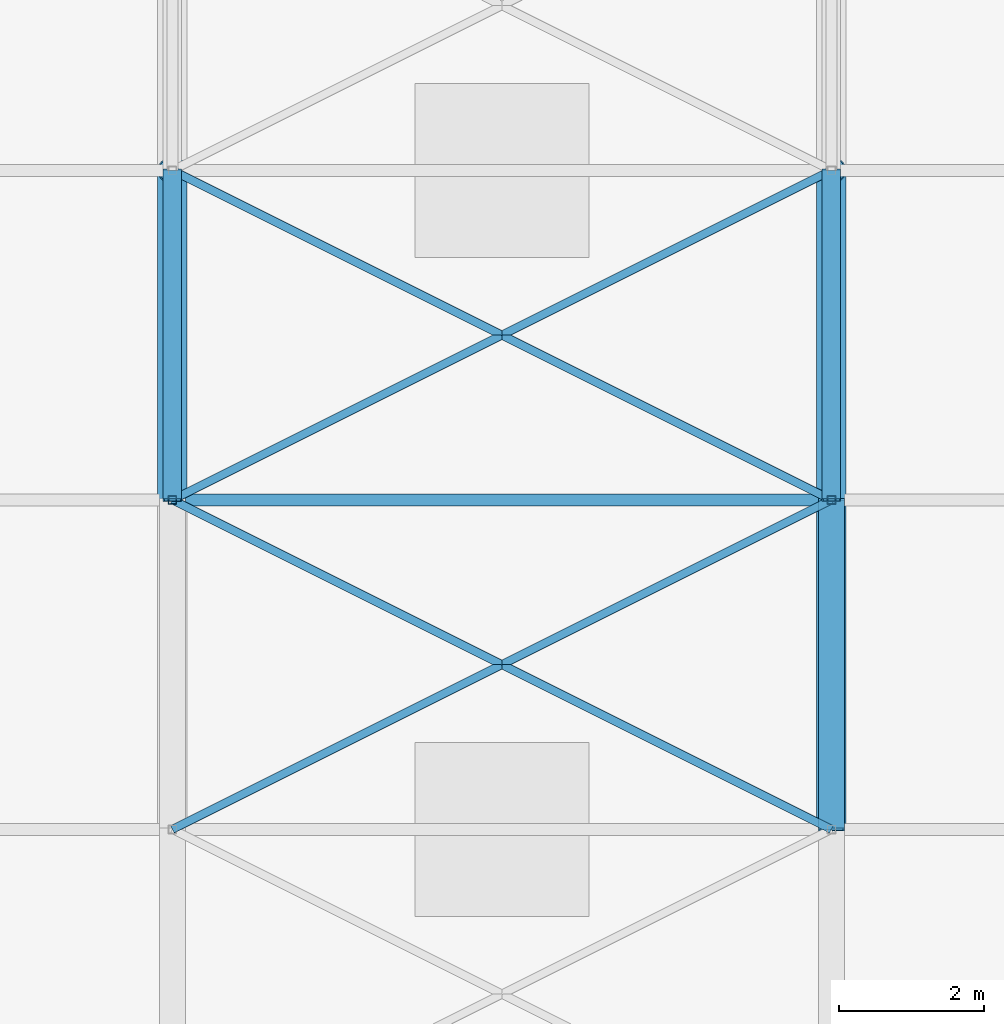
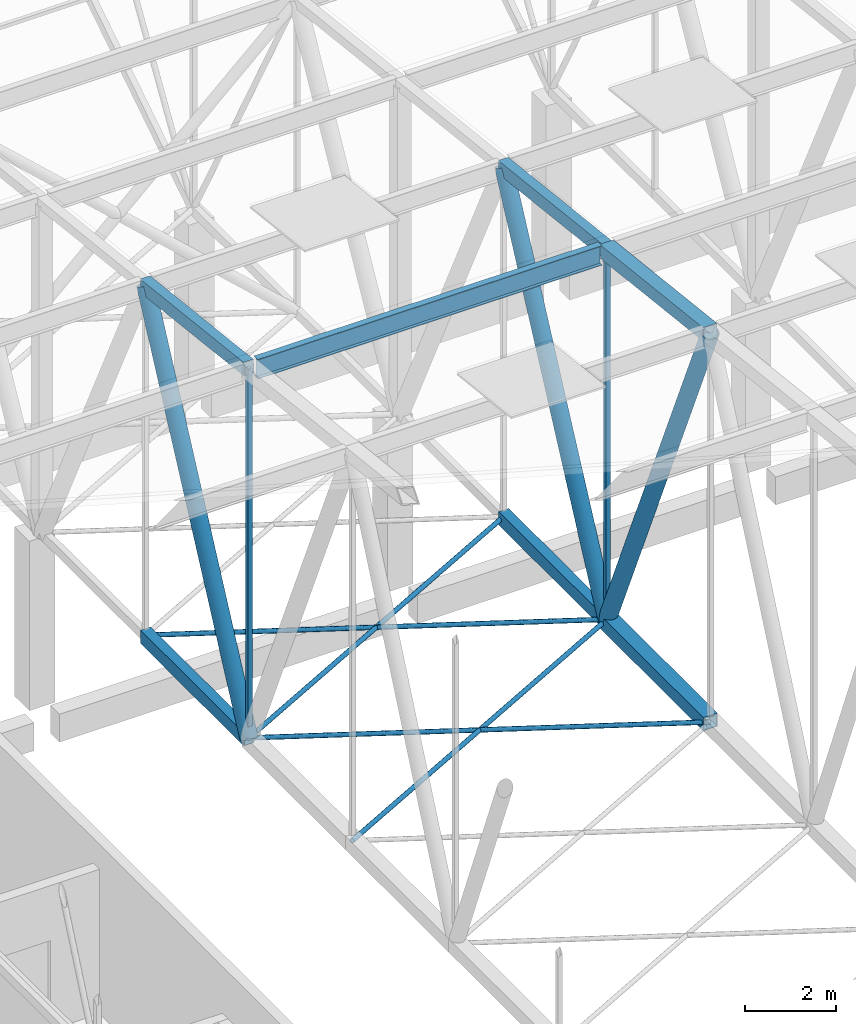
# One storey, part 241 of 500: 16 members.
"""IFC4 building model written with IfcOpenShell, lengths in metres."""

from ifc_helpers import new_model, si_unit, direction, frame, origin, origin_2d, place, context, subcontext, project, spatial, hollow_rectangle, hollow_circle, i_section, extrude, material, material_profile, profile_set, type_object, element, save


model = new_model("IFC4")

# Units and contexts
model_context = context("Model", 3, precision=1e-05, world=origin(), true_north=direction((0.0, 1.0)))
body_context = subcontext(model_context, "Body", "Model", "MODEL_VIEW")
ifc_project = project(units=[si_unit("LENGTHUNIT", "METRE"), si_unit("AREAUNIT", "SQUARE_METRE"), si_unit("VOLUMEUNIT", "CUBIC_METRE"), si_unit("PLANEANGLEUNIT", "RADIAN"), si_unit("MASSUNIT", "GRAM", prefix="KILO")], contexts=[model_context])

# Site, building, storey
site_placement = place(None, origin())
site = spatial("IfcSite", under=ifc_project, at=site_placement, CompositionType="ELEMENT")
building_placement = place(site_placement, origin())
building = spatial("IfcBuilding", under=site, at=building_placement, Name="Shirokan Park Arena", CompositionType="ELEMENT")
storey_placement = place(building_placement, frame((0.0, 0.0, 29.1201171875)))
storey = spatial("IfcBuildingStorey", under=building, at=storey_placement, Name="L06", CompositionType="ELEMENT", Elevation=29.1201171875)

# Members
ifc_material_1 = material(Name="Steel ASTM A500 Grade C", Category="steel")
ifc_material_profile_1 = material_profile(ifc_material_1, hollow_rectangle(XDim=0.25390625, YDim=0.35595703125, WallThickness=0.015869140625, at=origin_2d()), Name="HSS355.6X254X15.9")
ifc_profile_set_1 = profile_set([ifc_material_profile_1], Name="Steel ASTM A500 Grade C")
member_type_1 = type_object("IfcMemberType", Name="Bottom chord HSS355.6X254X15.9", PredefinedType="CHORD", material=ifc_profile_set_1)
for number, where, z_axis, x_axis, name in (
    (1, (45.5, 91.0, 4.677001953125), (0.0, 1.0, 0.0), (-1.0, 0.0, 0.0), "Truss T06 bottom chord 23"),
    (2, (54.60009765625, 91.0, 4.677001953125), (0.0, 1.0, 0.0), (-1.0, 0.0, 0.0), "Truss T07 bottom chord 23"),
):
    element("IfcMember", number, at=place(storey_placement, frame(where, z_axis=z_axis, x_axis=x_axis)), inside=storey, type_object=member_type_1, Name=name, PredefinedType="CHORD", context=body_context, shape_type="SweptSolid", body=[
        extrude(hollow_rectangle(XDim=0.25390625, YDim=0.35595703125, WallThickness=0.015869140625, at=origin_2d()), origin(), (0.0, 0.0, 1.0), 4.550048828125),
    ])
ifc_material_profile_2 = material_profile(ifc_material_1, hollow_rectangle(XDim=0.35595703125, YDim=0.35595703125, WallThickness=0.01904296875, at=origin_2d()), Name="HSS355.6X355.6X19.0")
ifc_profile_set_2 = profile_set([ifc_material_profile_2], Name="Steel ASTM A500 Grade C")
member_type_2 = type_object("IfcMemberType", Name="Bottom chord HSS355.6X355.6X19.0", PredefinedType="CHORD", material=ifc_profile_set_2)
member_1_placement = place(storey_placement, frame((54.60009765625, 86.449951171875, 4.677001953125), z_axis=(0.0, 1.0, 0.0), x_axis=(-1.0, 0.0, 0.0)))
element("IfcMember", 3, at=member_1_placement, inside=storey, type_object=member_type_2, Name="Truss T07 bottom chord 22", PredefinedType="CHORD", context=body_context, shape_type="SweptSolid", body=[
    extrude(hollow_rectangle(XDim=0.35595703125, YDim=0.35595703125, WallThickness=0.01904296875, at=origin_2d()), origin(), (0.0, 0.0, 1.0), 4.550048828125),
])
ifc_material_profile_3 = material_profile(ifc_material_1, hollow_circle(Radius=0.056884765625, WallThickness=0.006103515625, at=origin_2d()), Name="HSS114.3X6")
ifc_profile_set_3 = profile_set([ifc_material_profile_3], Name="Steel ASTM A500 Grade C")
member_type_3 = type_object("IfcMemberType", Name="Plan bracing HSS114.3X6", PredefinedType="BRACE", material=ifc_profile_set_3)
for number, where, z_axis, x_axis, name in (
    (4, (45.5, 86.449951171875, 4.677001953125), (0.894427191, 0.4472135955, 0.0), (-0.4472135955, 0.894427191, 0.0), "Plan bracing bay 6 panel 22 A"),
    (5, (54.60009765625, 86.449951171875, 4.677001953125), (-0.894427191, 0.4472135955, 0.0), (-0.4472135955, -0.894427191, 0.0), "Plan bracing bay 6 panel 22 B"),
    (6, (45.5, 91.0, 4.677001953125), (0.894427191, 0.4472135955, 0.0), (-0.4472135955, 0.894427191, 0.0), "Plan bracing bay 6 panel 23 A"),
    (7, (54.60009765625, 91.0, 4.677001953125), (-0.894427191, 0.4472135955, 0.0), (-0.4472135955, -0.894427191, 0.0), "Plan bracing bay 6 panel 23 B"),
):
    element("IfcMember", number, at=place(storey_placement, frame(where, z_axis=z_axis, x_axis=x_axis)), inside=storey, type_object=member_type_3, Name=name, PredefinedType="BRACE", context=body_context, shape_type="SweptSolid", body=[
        extrude(hollow_circle(Radius=0.056884765625, WallThickness=0.006103515625, at=origin_2d()), origin(), (0.0, 0.0, 1.0), 10.17431640625),
    ])
ifc_material_2 = material(Name="Steel ASTM A992", Category="steel")
ifc_material_profile_4 = material_profile(ifc_material_2, i_section(OverallWidth=0.166015625, OverallDepth=0.528076171875, WebThickness=0.009765625, FlangeThickness=0.013671875, at=origin_2d()), Name="W530X74")
ifc_profile_set_4 = profile_set([ifc_material_profile_4], Name="Steel ASTM A992")
member_type_4 = type_object("IfcMemberType", Name="Purlin W530X74", PredefinedType="PURLIN", material=ifc_profile_set_4)
member_2_placement = place(storey_placement, frame((45.677978515625, 91.0, 14.56591796875), z_axis=(1.0, 0.0, 0.0), x_axis=(0.0, 1.0, 0.0)))
element("IfcMember", 8, at=member_2_placement, inside=storey, type_object=member_type_4, Name="Purlin 23 bay 6", PredefinedType="PURLIN", context=body_context, shape_type="SweptSolid", body=[
    extrude(i_section(OverallWidth=0.166015625, OverallDepth=0.528076171875, WebThickness=0.009765625, FlangeThickness=0.013671875, at=origin_2d()), origin(), (0.0, 0.0, 1.0), 8.744140625),
])
ifc_material_profile_5 = material_profile(ifc_material_1, hollow_rectangle(XDim=0.25390625, YDim=0.35595703125, WallThickness=0.015869140625, at=origin_2d()), Name="HSS355.6X254X15.9")
ifc_profile_set_5 = profile_set([ifc_material_profile_5], Name="Steel ASTM A500 Grade C")
member_type_5 = type_object("IfcMemberType", Name="Top chord HSS355.6X254X15.9", PredefinedType="CHORD", material=ifc_profile_set_5)
for number, where, z_axis, x_axis, name in (
    (9, (45.5, 91.0, 14.621337890625), (0.0, 0.993532328996, -0.113549598152), (-1.0, 0.0, 0.0), "Truss T06 top chord 23"),
    (10, (54.60009765625, 91.0, 14.621337890625), (0.0, 0.993532328996, -0.113549598152), (-1.0, 0.0, 0.0), "Truss T07 top chord 23"),
):
    element("IfcMember", number, at=place(storey_placement, frame(where, z_axis=z_axis, x_axis=x_axis)), inside=storey, type_object=member_type_5, Name=name, PredefinedType="CHORD", context=body_context, shape_type="SweptSolid", body=[
        extrude(hollow_rectangle(XDim=0.25390625, YDim=0.35595703125, WallThickness=0.015869140625, at=origin_2d()), origin(), (0.0, 0.0, 1.0), 4.57958984375),
    ])
ifc_material_profile_6 = material_profile(ifc_material_1, hollow_rectangle(XDim=0.35595703125, YDim=0.35595703125, WallThickness=0.01904296875, at=origin_2d()), Name="HSS355.6X355.6X19.0")
ifc_profile_set_6 = profile_set([ifc_material_profile_6], Name="Steel ASTM A500 Grade C")
member_type_6 = type_object("IfcMemberType", Name="Top chord HSS355.6X355.6X19.0", PredefinedType="CHORD", material=ifc_profile_set_6)
member_3_placement = place(storey_placement, frame((54.60009765625, 86.449951171875, 15.141357421875), z_axis=(0.0, 0.993532328996, -0.113549598152), x_axis=(-1.0, 0.0, 0.0)))
element("IfcMember", 11, at=member_3_placement, inside=storey, type_object=member_type_6, Name="Truss T07 top chord 22", PredefinedType="CHORD", context=body_context, shape_type="SweptSolid", body=[
    extrude(hollow_rectangle(XDim=0.35595703125, YDim=0.35595703125, WallThickness=0.01904296875, at=origin_2d()), origin(), (0.0, 0.0, 1.0), 4.57958984375),
])
ifc_material_profile_7 = material_profile(ifc_material_1, hollow_circle(Radius=0.202880859375, WallThickness=0.015869140625, at=origin_2d()), Name="HSS406.4X15.9")
ifc_profile_set_7 = profile_set([ifc_material_profile_7], Name="Steel ASTM A500 Grade C")
member_type_7 = type_object("IfcMemberType", Name="Truss diagonal HSS406.4X15.9", PredefinedType="BRACE", material=ifc_profile_set_7)
member_4_placement = place(storey_placement, frame((45.5, 91.0, 4.677001953125), z_axis=(0.0, 0.434778423415, 0.900537463148), x_axis=(-1.0, 0.0, 0.0)))
element("IfcMember", 12, at=member_4_placement, inside=storey, type_object=member_type_7, Name="Truss T06 diagonal 23", PredefinedType="BRACE", context=body_context, shape_type="SweptSolid", body=[
    extrude(hollow_circle(Radius=0.202880859375, WallThickness=0.015869140625, at=origin_2d()), origin(), (0.0, 0.0, 1.0), 10.46533203125),
])
member_5_placement = place(storey_placement, frame((54.60009765625, 86.449951171875, 15.141357421875), z_axis=(0.0, 0.398750364192, -0.917059511186), x_axis=(-1.0, 0.0, 0.0)))
element("IfcMember", 13, at=member_5_placement, inside=storey, type_object=member_type_7, Name="Truss T07 diagonal 22", PredefinedType="BRACE", context=body_context, shape_type="SweptSolid", body=[
    extrude(hollow_circle(Radius=0.202880859375, WallThickness=0.015869140625, at=origin_2d()), origin(), (0.0, 0.0, 1.0), 11.410888671875),
])
member_6_placement = place(storey_placement, frame((54.60009765625, 91.0, 4.677001953125), z_axis=(0.0, 0.434778423415, 0.900537463148), x_axis=(-1.0, 0.0, 0.0)))
element("IfcMember", 14, at=member_6_placement, inside=storey, type_object=member_type_7, Name="Truss T07 diagonal 23", PredefinedType="BRACE", context=body_context, shape_type="SweptSolid", body=[
    extrude(hollow_circle(Radius=0.202880859375, WallThickness=0.015869140625, at=origin_2d()), origin(), (0.0, 0.0, 1.0), 10.46533203125),
])
ifc_material_profile_8 = material_profile(ifc_material_1, hollow_rectangle(XDim=0.114013671875, YDim=0.114013671875, WallThickness=0.00634765625, at=origin_2d()), Name="HSS114.3X114.3X6.4")
ifc_profile_set_8 = profile_set([ifc_material_profile_8], Name="Steel ASTM A500 Grade C")
member_type_8 = type_object("IfcMemberType", Name="Truss post HSS114.3X114.3X6.4", PredefinedType="POST", material=ifc_profile_set_8)
for number, where, z_axis, x_axis, name in (
    (15, (45.5, 91.0, 4.677001953125), (0.0, 0.0, 1.0), (1.0, 0.0, 0.0), "Truss T06 post 23"),
    (16, (54.60009765625, 91.0, 4.677001953125), (0.0, 0.0, 1.0), (1.0, 0.0, 0.0), "Truss T07 post 23"),
):
    element("IfcMember", number, at=place(storey_placement, frame(where, z_axis=z_axis, x_axis=x_axis)), inside=storey, type_object=member_type_8, Name=name, PredefinedType="POST", context=body_context, shape_type="SweptSolid", body=[
        extrude(hollow_rectangle(XDim=0.114013671875, YDim=0.114013671875, WallThickness=0.00634765625, at=origin_2d()), origin(), (0.0, 0.0, 1.0), 9.9443359375),
    ])

save(model, "model.ifc")
